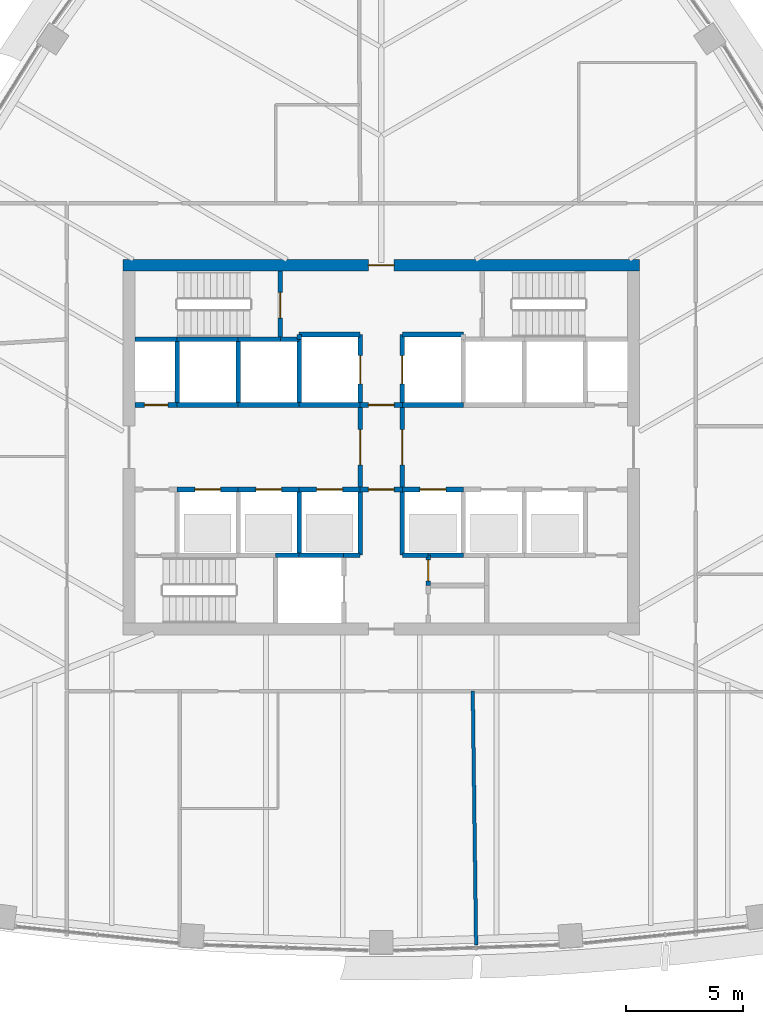
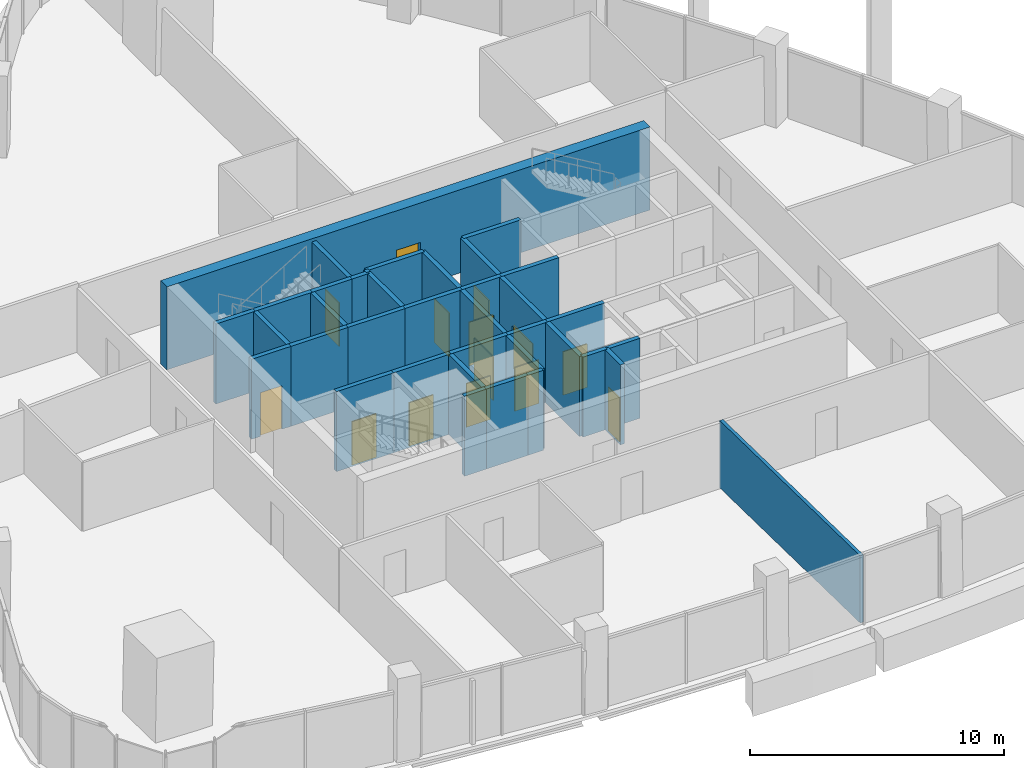
# One storey, part 10 of 17: 37 walls, 14 doors, 14 openings.
"""IFC4 building model written with IfcOpenShell, lengths in metres."""

import ifcopenshell
import ifcopenshell.guid

model = None  # the IFC model being written
_history = None  # IfcOwnerHistory: only IFC2X3 demands one
_inside = {}  # id of a spatial element -> (the spatial element, [elements in it])
_under = {}  # id of a project, library or spatial element -> (it, [spatial elements below it])
_declared = {}  # id of a project -> (the project, [libraries it declares])
_typed = {}  # id of a type object -> (the type object, [elements of that type])
_made_of = {}  # id of a material, layer set ... -> (it, [elements and type objects made of it])


def new_model(schema):
    """Start an empty IFC model of exactly this schema.

    Asked for "IFC4X3", IfcOpenShell would pick the latest addendum, in which some entities
    have other attributes; the version numbers below select the first issue.
    IFC2X3 requires an IfcOwnerHistory on every rooted entity: one is made here for all.
    """
    global model, _history
    if schema == "IFC4X3":
        model = ifcopenshell.file(schema_version=(4, 3, 0, 0))
    else:
        model = ifcopenshell.file(schema=schema)
    _inside.clear()
    _under.clear()
    _declared.clear()
    _typed.clear()
    _made_of.clear()
    _history = None
    if model.schema == "IFC2X3":
        org = make("IfcOrganization", Name="unknown")
        user = make(
            "IfcPersonAndOrganization",
            ThePerson=make("IfcPerson", FamilyName="unknown"),
            TheOrganization=org,
        )
        app = make(
            "IfcApplication",
            ApplicationDeveloper=org,
            Version="unknown",
            ApplicationFullName="unknown",
            ApplicationIdentifier="unknown",
        )
        _history = make(
            "IfcOwnerHistory",
            OwningUser=user,
            OwningApplication=app,
            ChangeAction="ADDED",
            CreationDate=0,
        )
    return model


def make(cls, **values):
    """One entity of the class cls with the attributes given. An attribute that is None is left unset."""
    return model.create_entity(
        cls, **{name: value for name, value in values.items() if value is not None}
    )


def rooted(cls, **values):
    """An entity with a GlobalId (a new one), such as an element, a storey or a relation."""
    return make(cls, GlobalId=ifcopenshell.guid.new(), OwnerHistory=_history, **values)


def si_unit(unit_type, name, prefix=None):
    """IfcSIUnit, for example si_unit("LENGTHUNIT", "METRE", prefix="MILLI")."""
    return make("IfcSIUnit", UnitType=unit_type, Prefix=prefix, Name=name)


def assignment(units):
    """IfcUnitAssignment: the units of a project."""
    return None if units is None else make("IfcUnitAssignment", Units=units)


def point(xyz):
    """IfcCartesianPoint."""
    return None if xyz is None else make("IfcCartesianPoint", Coordinates=xyz)


def direction(xyz):
    """IfcDirection."""
    return None if xyz is None else make("IfcDirection", DirectionRatios=xyz)


def frame(location, z_axis=None, x_axis=None):
    """IfcAxis2Placement3D, a coordinate frame: its origin and axes. An axis left out is left unset."""
    return make(
        "IfcAxis2Placement3D",
        Location=point(location),
        Axis=direction(z_axis),
        RefDirection=direction(x_axis),
    )


def frame_2d(location, x_axis=None):
    """IfcAxis2Placement2D, a coordinate frame in the plane: its origin and x axis."""
    return make(
        "IfcAxis2Placement2D", Location=point(location), RefDirection=direction(x_axis)
    )


def origin():
    """The frame at (0, 0, 0) with its axes left unset."""
    return frame((0.0, 0.0, 0.0))


def place(relative_to, where):
    """IfcLocalPlacement: puts the frame where relative to a parent placement (None: the world)."""
    return make(
        "IfcLocalPlacement", PlacementRelTo=relative_to, RelativePlacement=where
    )


def context(
    kind, dimensions, precision=None, world=None, true_north=None, identifier=None
):
    """IfcGeometricRepresentationContext, for example the 3D "Model" context."""
    return make(
        "IfcGeometricRepresentationContext",
        ContextIdentifier=identifier,
        ContextType=kind,
        CoordinateSpaceDimension=dimensions,
        Precision=precision,
        WorldCoordinateSystem=world,
        TrueNorth=true_north,
    )


def subcontext(parent, identifier, kind, view, scale=None):
    """IfcGeometricRepresentationSubContext, for example "Body" below "Model"."""
    return make(
        "IfcGeometricRepresentationSubContext",
        ContextIdentifier=identifier,
        ContextType=kind,
        ParentContext=parent,
        TargetScale=scale,
        TargetView=view,
    )


def project(units=None, contexts=None):
    """IfcProject with its units and contexts."""
    return rooted(
        "IfcProject",
        Name="project",
        RepresentationContexts=contexts,
        UnitsInContext=assignment(units),
    )


def spatial(cls, under=None, at=None, **own):
    """A site, building, storey or space (cls), placed at a placement, below another one or the project."""
    s = rooted(cls, ObjectPlacement=at, **own)
    if under is not None:
        _under.setdefault(under.id(), (under, []))[1].append(s)
    return s


def profile(cls, at=None, kind="AREA", **sizes):
    """A parametric profile (cls). Its sizes go by their IFC names, for example OverallWidth=200.0."""
    return make(cls, ProfileType=kind, Position=at, **sizes)


def rectangle(**sizes):
    """IfcRectangleProfileDef."""
    return profile("IfcRectangleProfileDef", **sizes)


def extrude(swept, where, along, depth):
    """IfcExtrudedAreaSolid: the profile swept, set in the frame where, extruded along a direction by depth."""
    return make(
        "IfcExtrudedAreaSolid",
        SweptArea=swept,
        Position=where,
        ExtrudedDirection=direction(along),
        Depth=depth,
    )


def shape(context_of_items, identifier, shape_type, items):
    """IfcShapeRepresentation: the items that make up one representation, for example the "Body"."""
    return make(
        "IfcShapeRepresentation",
        ContextOfItems=context_of_items,
        RepresentationIdentifier=identifier,
        RepresentationType=shape_type,
        Items=items,
    )


def material(Name=None, Category=None):
    """IfcMaterial."""
    return make("IfcMaterial", Name=Name, Category=Category)


def layer(
    of_material, thickness, ventilated=None, Name=None, Category=None, Priority=None
):
    """IfcMaterialLayer: one layer of a wall or slab, of a material (None: an air gap)."""
    return make(
        "IfcMaterialLayer",
        Material=of_material,
        LayerThickness=thickness,
        IsVentilated=ventilated,
        Name=Name,
        Category=Category,
        Priority=Priority,
    )


def layer_set(layers, Name=None):
    """IfcMaterialLayerSet."""
    return make("IfcMaterialLayerSet", MaterialLayers=layers, LayerSetName=Name)


def made_of(thing, what):
    """Note that an element or type object is made of a material, layer set ...; save() writes the relation."""
    if what is not None:
        _made_of.setdefault(what.id(), (what, []))[1].append(thing)
    return thing


def type_object(cls, material=None, **own):
    """A type object (cls), such as IfcWallType, which elements share."""
    return made_of(rooted(cls, **own), material)


def element(
    cls,
    number,
    at=None,
    inside=None,
    cuts=None,
    type_object=None,
    material=None,
    context=None,
    identifier="Body",
    shape_type=None,
    held_by="IfcProductDefinitionShape",
    body=None,
    shapes=None,
    **own,
):
    """One element of the class cls, such as IfcWall. Its Tag is "e" and its number.

    at: its placement. inside: the storey or other place that contains it. cuts: it is an
    opening in that element (IfcRelVoidsElement). A single representation is given by context,
    identifier, shape_type and body (its items); several are given by shapes. held_by: the class
    of the entity that holds the representations. save() writes the other relations.
    """
    e = rooted(cls, Tag="e%d" % number, ObjectPlacement=at, **own)
    if body is not None:
        shapes = [shape(context, identifier, shape_type, body)]
    if shapes is not None:
        e.Representation = make(held_by, Representations=shapes)
    if inside is not None:
        _inside.setdefault(inside.id(), (inside, []))[1].append(e)
    if cuts is not None:
        rooted(
            "IfcRelVoidsElement", RelatingBuildingElement=cuts, RelatedOpeningElement=e
        )
    if type_object is not None:
        _typed.setdefault(type_object.id(), (type_object, []))[1].append(e)
    return made_of(e, material)


def fill(opening, filler):
    """IfcRelFillsElement: the door or window that sits in an opening."""
    return rooted(
        "IfcRelFillsElement",
        RelatingOpeningElement=opening,
        RelatedBuildingElement=filler,
    )


def aggregate(whole, parts):
    """IfcRelAggregates: a whole, such as a stair, and the parts it consists of."""
    return rooted("IfcRelAggregates", RelatingObject=whole, RelatedObjects=parts)


def save(model, path):
    """Write the relations noted so far, then the file.

    IfcRelAggregates (storeys below a building ...), IfcRelContainedInSpatialStructure (elements
    in a storey), IfcRelDefinesByType, IfcRelAssociatesMaterial and IfcRelDeclares: one each for
    every whole, place, type object, material and project.
    """
    for whole, parts in _under.values():
        aggregate(whole, parts)
    for where, things in _inside.values():
        rooted(
            "IfcRelContainedInSpatialStructure",
            RelatedElements=things,
            RelatingStructure=where,
        )
    for kind, things in _typed.values():
        rooted("IfcRelDefinesByType", RelatedObjects=things, RelatingType=kind)
    for what, things in _made_of.values():
        rooted("IfcRelAssociatesMaterial", RelatedObjects=things, RelatingMaterial=what)
    for by, libraries in _declared.values():
        rooted("IfcRelDeclares", RelatingContext=by, RelatedDefinitions=libraries)
    model.write(path)


model = new_model("IFC4")

# Units and contexts
model_context = context("Model", 3, precision=1e-05, world=origin(), true_north=direction((0.0, 1.0)))
body_context = subcontext(model_context, "Body", "Model", "MODEL_VIEW")
ifc_project = project(units=[si_unit("LENGTHUNIT", "METRE"), si_unit("AREAUNIT", "SQUARE_METRE"), si_unit("VOLUMEUNIT", "CUBIC_METRE"), si_unit("PLANEANGLEUNIT", "RADIAN"), si_unit("MASSUNIT", "GRAM", prefix="KILO")], contexts=[model_context])

# Site, building, storey
site_placement = place(None, origin())
site = spatial("IfcSite", under=ifc_project, at=site_placement, CompositionType="ELEMENT")
building_placement = place(site_placement, origin())
building = spatial("IfcBuilding", under=site, at=building_placement, Name="Sierra Prisma Convention Tower", CompositionType="ELEMENT")
storey_placement = place(building_placement, frame((0.0, 0.0, 201.800048828125)))
storey = spatial("IfcBuildingStorey", under=building, at=storey_placement, Name="L45", CompositionType="ELEMENT", Elevation=201.800048828125)

# Wall, opening, door
ifc_material_1 = material(Name="Concrete C30/37", Category="concrete")
ifc_layer_1 = layer(ifc_material_1, 0.199951171875)
ifc_layer_set_1 = layer_set([ifc_layer_1], Name="Core wall RC 200 C30/37")
wall_type_1 = type_object("IfcWallType", Name="Core wall RC 200 C30/37", PredefinedType="SOLIDWALL", material=ifc_layer_set_1)
wall_1_placement = place(storey_placement, frame((-8.699951171875, 1.800048828125, 0.0), z_axis=(0.0, 0.0, 1.0), x_axis=(-1.0, 0.0, 0.0)))
wall_1 = element("IfcWall", 1, at=wall_1_placement, inside=storey, type_object=wall_type_1, Name="Core wall L45 3", PredefinedType="SOLIDWALL", context=body_context, shape_type="SweptSolid", body=[
    extrude(rectangle(XDim=1.800048828125, YDim=0.199951171875, at=frame_2d((0.89990234375, 0.0))), origin(), (0.0, 0.0, 1.0), 3.849853515625),
])
opening_1_placement = place(wall_1_placement, frame((0.39990234375, 0.0, 0.0)))
opening_1 = element("IfcOpeningElement", 2, at=opening_1_placement, cuts=wall_1, Name="Opening L45-D015", PredefinedType="OPENING", context=body_context, shape_type="SweptSolid", body=[
    extrude(rectangle(XDim=1.0, YDim=2.10009765625, at=frame_2d((0.5, 1.050048828125))), frame((0.0, 0.10009765625, 0.0), z_axis=(0.0, -1.0, 0.0), x_axis=(1.0, 0.0, 0.0)), (0.0, 0.0, 1.0), 0.199951171875),
])
ifc_material_2 = material(Name="Steel fire door leaf", Category="steel")
door_type_1 = type_object("IfcDoorType", Name="Door 1000x2100 FD60S", OperationType="SINGLE_SWING_LEFT", PredefinedType="DOOR", material=ifc_material_2)
door_1_placement = place(opening_1_placement, origin())
door_1 = element("IfcDoor", 3, at=door_1_placement, inside=storey, type_object=door_type_1, Name="Door L45 29", OperationType="SINGLE_SWING_RIGHT", OverallHeight=2.10009765625, OverallWidth=1.0, PredefinedType="DOOR", context=body_context, shape_type="SweptSolid", body=[
    extrude(rectangle(XDim=1.0, YDim=2.10009765625, at=frame_2d((0.5, 1.050048828125))), frame((0.0, 0.02490234375, 0.0), z_axis=(0.0, -1.0, 0.0), x_axis=(1.0, 0.0, 0.0)), (0.0, 0.0, 1.0), 0.050048828125),
])
fill(opening_1, door_1)

# Wall
wall_2_placement = place(storey_placement, frame((-8.699951171875, 4.60009765625, 0.0), z_axis=(0.0, 0.0, 1.0), x_axis=(-1.0, 0.0, 0.0)))
element("IfcWall", 4, at=wall_2_placement, inside=storey, type_object=wall_type_1, Name="Core wall L45 4", PredefinedType="SOLIDWALL", context=body_context, shape_type="SweptSolid", body=[
    extrude(rectangle(XDim=1.800048828125, YDim=0.199951171875, at=frame_2d((0.89990234375, 0.0))), origin(), (0.0, 0.0, 1.0), 3.849853515625),
])

# Wall, opening, door
wall_3_placement = place(storey_placement, frame((-8.699951171875, -1.800048828125, 0.0), z_axis=(0.0, 0.0, 1.0), x_axis=(1.0, 0.0, 0.0)))
wall_3 = element("IfcWall", 5, at=wall_3_placement, inside=storey, type_object=wall_type_1, Name="Core wall L45 7", PredefinedType="SOLIDWALL", context=body_context, shape_type="SweptSolid", body=[
    extrude(rectangle(XDim=2.599853515625, YDim=0.199951171875, at=frame_2d((1.2998046875, 0.0))), origin(), (0.0, 0.0, 1.0), 3.849853515625),
])
opening_2_placement = place(wall_3_placement, frame((0.75, 0.0, 0.0)))
opening_2 = element("IfcOpeningElement", 6, at=opening_2_placement, cuts=wall_3, Name="Opening L45-D001", PredefinedType="OPENING", context=body_context, shape_type="SweptSolid", body=[
    extrude(rectangle(XDim=1.10009765625, YDim=2.10009765625, at=frame_2d((0.550048828125, 1.050048828125))), frame((0.0, 0.10009765625, 0.0), z_axis=(0.0, -1.0, 0.0), x_axis=(1.0, 0.0, 0.0)), (0.0, 0.0, 1.0), 0.199951171875),
])
ifc_material_3 = material(Name="Steel fire door leaf", Category="steel")
door_type_2 = type_object("IfcDoorType", Name="Door 1100x2100 EI 90 sliding lift landing", OperationType="SLIDING_TO_LEFT", PredefinedType="DOOR", material=ifc_material_3)
door_2_placement = place(opening_2_placement, origin())
door_2 = element("IfcDoor", 7, at=door_2_placement, inside=storey, type_object=door_type_2, Name="Door L45 15", OperationType="SLIDING_TO_LEFT", OverallHeight=2.10009765625, OverallWidth=1.10009765625, PredefinedType="DOOR", context=body_context, shape_type="SweptSolid", body=[
    extrude(rectangle(XDim=1.10009765625, YDim=2.10009765625, at=frame_2d((0.550048828125, 1.050048828125))), frame((0.0, 0.02490234375, 0.0), z_axis=(0.0, -1.0, 0.0), x_axis=(1.0, 0.0, 0.0)), (0.0, 0.0, 1.0), 0.050048828125),
])
fill(opening_2, door_2)

# Walls
wall_4_placement = place(storey_placement, frame((-6.10009765625, 1.800048828125, 0.0), z_axis=(0.0, 0.0, 1.0), x_axis=(-1.0, 0.0, 0.0)))
element("IfcWall", 8, at=wall_4_placement, inside=storey, type_object=wall_type_1, Name="Core wall L45 8", PredefinedType="SOLIDWALL", context=body_context, shape_type="SweptSolid", body=[
    extrude(rectangle(XDim=2.599853515625, YDim=0.199951171875, at=frame_2d((1.2998046875, 0.0))), origin(), (0.0, 0.0, 1.0), 3.849853515625),
])
wall_5_placement = place(storey_placement, frame((-8.699951171875, 1.800048828125, 0.0), z_axis=(0.0, 0.0, 1.0), x_axis=(0.0, 1.0, 0.0)))
element("IfcWall", 9, at=wall_5_placement, inside=storey, type_object=wall_type_1, Name="Core wall L45 9", PredefinedType="SOLIDWALL", context=body_context, shape_type="SweptSolid", body=[
    extrude(rectangle(XDim=2.800048828125, YDim=0.199951171875, at=frame_2d((1.39990234375, 0.0))), origin(), (0.0, 0.0, 1.0), 3.849853515625),
])
wall_6_placement = place(storey_placement, frame((-6.10009765625, 4.60009765625, 0.0), z_axis=(0.0, 0.0, 1.0), x_axis=(-1.0, 0.0, 0.0)))
element("IfcWall", 10, at=wall_6_placement, inside=storey, type_object=wall_type_1, Name="Core wall L45 10", PredefinedType="SOLIDWALL", context=body_context, shape_type="SweptSolid", body=[
    extrude(rectangle(XDim=2.599853515625, YDim=0.199951171875, at=frame_2d((1.2998046875, 0.0))), origin(), (0.0, 0.0, 1.0), 3.849853515625),
])

# Wall, opening, door
wall_7_placement = place(storey_placement, frame((-6.10009765625, -1.800048828125, 0.0), z_axis=(0.0, 0.0, 1.0), x_axis=(1.0, 0.0, 0.0)))
wall_7 = element("IfcWall", 11, at=wall_7_placement, inside=storey, type_object=wall_type_1, Name="Core wall L45 13", PredefinedType="SOLIDWALL", context=body_context, shape_type="SweptSolid", body=[
    extrude(rectangle(XDim=2.60009765625, YDim=0.199951171875, at=frame_2d((1.300048828125, 0.0))), origin(), (0.0, 0.0, 1.0), 3.849853515625),
])
opening_3_placement = place(wall_7_placement, frame((0.75, 0.0, 0.0)))
opening_3 = element("IfcOpeningElement", 12, at=opening_3_placement, cuts=wall_7, Name="Opening L45-D002", PredefinedType="OPENING", context=body_context, shape_type="SweptSolid", body=[
    extrude(rectangle(XDim=1.10009765625, YDim=2.10009765625, at=frame_2d((0.550048828125, 1.050048828125))), frame((0.0, 0.10009765625, 0.0), z_axis=(0.0, -1.0, 0.0), x_axis=(1.0, 0.0, 0.0)), (0.0, 0.0, 1.0), 0.199951171875),
])
door_3_placement = place(opening_3_placement, origin())
door_3 = element("IfcDoor", 13, at=door_3_placement, inside=storey, type_object=door_type_2, Name="Door L45 16", OperationType="SLIDING_TO_LEFT", OverallHeight=2.10009765625, OverallWidth=1.10009765625, PredefinedType="DOOR", context=body_context, shape_type="SweptSolid", body=[
    extrude(rectangle(XDim=1.10009765625, YDim=2.10009765625, at=frame_2d((0.550048828125, 1.050048828125))), frame((0.0, 0.02490234375, 0.0), z_axis=(0.0, -1.0, 0.0), x_axis=(1.0, 0.0, 0.0)), (0.0, 0.0, 1.0), 0.050048828125),
])
fill(opening_3, door_3)

# Walls
wall_8_placement = place(storey_placement, frame((-3.5, 1.800048828125, 0.0), z_axis=(0.0, 0.0, 1.0), x_axis=(-1.0, 0.0, 0.0)))
element("IfcWall", 14, at=wall_8_placement, inside=storey, type_object=wall_type_1, Name="Core wall L45 14", PredefinedType="SOLIDWALL", context=body_context, shape_type="SweptSolid", body=[
    extrude(rectangle(XDim=2.60009765625, YDim=0.199951171875, at=frame_2d((1.300048828125, 0.0))), origin(), (0.0, 0.0, 1.0), 3.849853515625),
])
wall_9_placement = place(storey_placement, frame((-6.10009765625, 1.800048828125, 0.0), z_axis=(0.0, 0.0, 1.0), x_axis=(0.0, 1.0, 0.0)))
element("IfcWall", 15, at=wall_9_placement, inside=storey, type_object=wall_type_1, Name="Core wall L45 15", PredefinedType="SOLIDWALL", context=body_context, shape_type="SweptSolid", body=[
    extrude(rectangle(XDim=2.800048828125, YDim=0.199951171875, at=frame_2d((1.39990234375, 0.0))), origin(), (0.0, 0.0, 1.0), 3.849853515625),
])
wall_10_placement = place(storey_placement, frame((-4.300048828125, 4.60009765625, 0.0), z_axis=(0.0, 0.0, 1.0), x_axis=(-1.0, 0.0, 0.0)))
element("IfcWall", 16, at=wall_10_placement, inside=storey, type_object=wall_type_1, Name="Core wall L45 16", PredefinedType="SOLIDWALL", context=body_context, shape_type="SweptSolid", body=[
    extrude(rectangle(XDim=1.800048828125, YDim=0.199951171875, at=frame_2d((0.89990234375, 0.0))), origin(), (0.0, 0.0, 1.0), 3.849853515625),
])
wall_11_placement = place(storey_placement, frame((-4.5, -4.60009765625, 0.0), z_axis=(0.0, 0.0, 1.0), x_axis=(1.0, 0.0, 0.0)))
element("IfcWall", 17, at=wall_11_placement, inside=storey, type_object=wall_type_1, Name="Core wall L45 18", PredefinedType="SOLIDWALL", context=body_context, shape_type="SweptSolid", body=[
    extrude(rectangle(XDim=1.0, YDim=0.199951171875, at=frame_2d((0.5, 0.0))), origin(), (0.0, 0.0, 1.0), 3.849853515625),
])
wall_12_placement = place(storey_placement, frame((-3.5, 4.60009765625, 0.0), z_axis=(0.0, 0.0, 1.0), x_axis=(-1.0, 0.0, 0.0)))
element("IfcWall", 18, at=wall_12_placement, inside=storey, type_object=wall_type_1, Name="Core wall L45 19", PredefinedType="SOLIDWALL", context=body_context, shape_type="SweptSolid", body=[
    extrude(rectangle(XDim=0.800048828125, YDim=0.199951171875, at=frame_2d((0.39990234375, 0.0))), origin(), (0.0, 0.0, 1.0), 3.849853515625),
])

# Wall, opening, door
wall_13_placement = place(storey_placement, frame((-4.300048828125, 4.60009765625, 0.0), z_axis=(0.0, 0.0, 1.0), x_axis=(0.0, 1.0, 0.0)))
wall_13 = element("IfcWall", 19, at=wall_13_placement, inside=storey, type_object=wall_type_1, Name="Core wall L45 20", PredefinedType="SOLIDWALL", context=body_context, shape_type="SweptSolid", body=[
    extrude(rectangle(XDim=2.89990234375, YDim=0.199951171875, at=frame_2d((1.449951171875, 0.0))), origin(), (0.0, 0.0, 1.0), 3.849853515625),
])
opening_4_placement = place(wall_13_placement, frame((0.89990234375, 0.0, 0.0)))
opening_4 = element("IfcOpeningElement", 20, at=opening_4_placement, cuts=wall_13, Name="Opening L45-D018", PredefinedType="OPENING", context=body_context, shape_type="SweptSolid", body=[
    extrude(rectangle(XDim=1.10009765625, YDim=2.10009765625, at=frame_2d((0.550048828125, 1.050048828125))), frame((0.0, 0.10009765625, 0.0), z_axis=(0.0, -1.0, 0.0), x_axis=(1.0, 0.0, 0.0)), (0.0, 0.0, 1.0), 0.199951171875),
])
ifc_material_4 = material(Name="Steel fire door leaf", Category="steel")
door_type_3 = type_object("IfcDoorType", Name="Door 1100x2100 FD90S", OperationType="SINGLE_SWING_LEFT", PredefinedType="DOOR", material=ifc_material_4)
door_4_placement = place(opening_4_placement, origin())
door_4 = element("IfcDoor", 21, at=door_4_placement, inside=storey, type_object=door_type_3, Name="Door L45 32", OperationType="SINGLE_SWING_RIGHT", OverallHeight=2.10009765625, OverallWidth=1.10009765625, PredefinedType="DOOR", context=body_context, shape_type="SweptSolid", body=[
    extrude(rectangle(XDim=1.10009765625, YDim=2.10009765625, at=frame_2d((0.550048828125, 1.050048828125))), frame((0.0, 0.02490234375, 0.0), z_axis=(0.0, -1.0, 0.0), x_axis=(1.0, 0.0, 0.0)), (0.0, 0.0, 1.0), 0.050048828125),
])
fill(opening_4, door_4)

# Walls
wall_14_placement = place(storey_placement, frame((-3.5, -4.60009765625, 0.0), z_axis=(0.0, 0.0, 1.0), x_axis=(1.0, 0.0, 0.0)))
element("IfcWall", 22, at=wall_14_placement, inside=storey, type_object=wall_type_1, Name="Core wall L45 21", PredefinedType="SOLIDWALL", context=body_context, shape_type="SweptSolid", body=[
    extrude(rectangle(XDim=1.89990234375, YDim=0.199951171875, at=frame_2d((0.949951171875, 0.0))), origin(), (0.0, 0.0, 1.0), 3.849853515625),
])
wall_15_placement = place(storey_placement, frame((-3.5, -4.60009765625, 0.0), z_axis=(0.0, 0.0, 1.0), x_axis=(0.0, 1.0, 0.0)))
element("IfcWall", 23, at=wall_15_placement, inside=storey, type_object=wall_type_1, Name="Core wall L45 22", PredefinedType="SOLIDWALL", context=body_context, shape_type="SweptSolid", body=[
    extrude(rectangle(XDim=2.800048828125, YDim=0.199951171875, at=frame_2d((1.39990234375, 0.0))), origin(), (0.0, 0.0, 1.0), 3.849853515625),
])

# Wall, opening, door
wall_16_placement = place(storey_placement, frame((-3.5, -1.800048828125, 0.0), z_axis=(0.0, 0.0, 1.0), x_axis=(1.0, 0.0, 0.0)))
wall_16 = element("IfcWall", 24, at=wall_16_placement, inside=storey, type_object=wall_type_1, Name="Core wall L45 23", PredefinedType="SOLIDWALL", context=body_context, shape_type="SweptSolid", body=[
    extrude(rectangle(XDim=2.60009765625, YDim=0.199951171875, at=frame_2d((1.300048828125, 0.0))), origin(), (0.0, 0.0, 1.0), 3.849853515625),
])
opening_5_placement = place(wall_16_placement, frame((0.75, 0.0, 0.0)))
opening_5 = element("IfcOpeningElement", 25, at=opening_5_placement, cuts=wall_16, Name="Opening L45-D003", PredefinedType="OPENING", context=body_context, shape_type="SweptSolid", body=[
    extrude(rectangle(XDim=1.10009765625, YDim=2.10009765625, at=frame_2d((0.550048828125, 1.050048828125))), frame((0.0, 0.10009765625, 0.0), z_axis=(0.0, -1.0, 0.0), x_axis=(1.0, 0.0, 0.0)), (0.0, 0.0, 1.0), 0.199951171875),
])
door_5_placement = place(opening_5_placement, origin())
door_5 = element("IfcDoor", 26, at=door_5_placement, inside=storey, type_object=door_type_2, Name="Door L45 17", OperationType="SLIDING_TO_LEFT", OverallHeight=2.10009765625, OverallWidth=1.10009765625, PredefinedType="DOOR", context=body_context, shape_type="SweptSolid", body=[
    extrude(rectangle(XDim=1.10009765625, YDim=2.10009765625, at=frame_2d((0.550048828125, 1.050048828125))), frame((0.0, 0.02490234375, 0.0), z_axis=(0.0, -1.0, 0.0), x_axis=(1.0, 0.0, 0.0)), (0.0, 0.0, 1.0), 0.050048828125),
])
fill(opening_5, door_5)

# Walls
wall_17_placement = place(storey_placement, frame((-0.89990234375, 1.800048828125, 0.0), z_axis=(0.0, 0.0, 1.0), x_axis=(-1.0, 0.0, 0.0)))
element("IfcWall", 27, at=wall_17_placement, inside=storey, type_object=wall_type_1, Name="Core wall L45 24", PredefinedType="SOLIDWALL", context=body_context, shape_type="SweptSolid", body=[
    extrude(rectangle(XDim=2.60009765625, YDim=0.199951171875, at=frame_2d((1.300048828125, 0.0))), origin(), (0.0, 0.0, 1.0), 3.849853515625),
])
wall_18_placement = place(storey_placement, frame((-3.5, 4.60009765625, 0.0), z_axis=(0.0, 0.0, 1.0), x_axis=(0.0, -1.0, 0.0)))
element("IfcWall", 28, at=wall_18_placement, inside=storey, type_object=wall_type_1, Name="Core wall L45 25", PredefinedType="SOLIDWALL", context=body_context, shape_type="SweptSolid", body=[
    extrude(rectangle(XDim=2.800048828125, YDim=0.199951171875, at=frame_2d((1.39990234375, 0.0))), origin(), (0.0, 0.0, 1.0), 3.849853515625),
])

# Wall, opening, door
wall_19_placement = place(storey_placement, frame((-0.89990234375, 1.800048828125, 0.0), z_axis=(0.0, 0.0, 1.0), x_axis=(0.0, 1.0, 0.0)))
wall_19 = element("IfcWall", 29, at=wall_19_placement, inside=storey, type_object=wall_type_1, Name="Core wall L45 26", PredefinedType="SOLIDWALL", context=body_context, shape_type="SweptSolid", body=[
    extrude(rectangle(XDim=3.0, YDim=0.199951171875, at=frame_2d((1.5, 0.0))), origin(), (0.0, 0.0, 1.0), 3.849853515625),
])
opening_6_placement = place(wall_19_placement, frame((0.89990234375, 0.0, 0.0)))
opening_6 = element("IfcOpeningElement", 30, at=opening_6_placement, cuts=wall_19, Name="Opening L45-D007", PredefinedType="OPENING", context=body_context, shape_type="SweptSolid", body=[
    extrude(rectangle(XDim=1.199951171875, YDim=2.10009765625, at=frame_2d((0.60009765625, 1.050048828125))), frame((0.0, 0.10009765625, 0.0), z_axis=(0.0, -1.0, 0.0), x_axis=(1.0, 0.0, 0.0)), (0.0, 0.0, 1.0), 0.199951171875),
])
ifc_material_5 = material(Name="Steel fire door leaf", Category="steel")
door_type_4 = type_object("IfcDoorType", Name="Door 1200x2100 EI 90 sliding lift landing", OperationType="SLIDING_TO_LEFT", PredefinedType="DOOR", material=ifc_material_5)
door_6_placement = place(opening_6_placement, origin())
door_6 = element("IfcDoor", 31, at=door_6_placement, inside=storey, type_object=door_type_4, Name="Door L45 21", OperationType="SLIDING_TO_LEFT", OverallHeight=2.10009765625, OverallWidth=1.199951171875, PredefinedType="DOOR", context=body_context, shape_type="SweptSolid", body=[
    extrude(rectangle(XDim=1.199951171875, YDim=2.10009765625, at=frame_2d((0.60009765625, 1.050048828125))), frame((0.0, 0.02490234375, 0.0), z_axis=(0.0, -1.0, 0.0), x_axis=(1.0, 0.0, 0.0)), (0.0, 0.0, 1.0), 0.050048828125),
])
fill(opening_6, door_6)

# Walls
wall_20_placement = place(storey_placement, frame((-0.89990234375, 4.800048828125, 0.0), z_axis=(0.0, 0.0, 1.0), x_axis=(-1.0, 0.0, 0.0)))
element("IfcWall", 32, at=wall_20_placement, inside=storey, type_object=wall_type_1, Name="Core wall L45 27", PredefinedType="SOLIDWALL", context=body_context, shape_type="SweptSolid", body=[
    extrude(rectangle(XDim=2.60009765625, YDim=0.199951171875, at=frame_2d((1.300048828125, 0.0))), origin(), (0.0, 0.0, 1.0), 3.849853515625),
])
wall_21_placement = place(storey_placement, frame((-3.5, 4.800048828125, 0.0), z_axis=(0.0, 0.0, 1.0), x_axis=(0.0, -1.0, 0.0)))
element("IfcWall", 33, at=wall_21_placement, inside=storey, type_object=wall_type_1, Name="Core wall L45 28", PredefinedType="SOLIDWALL", context=body_context, shape_type="SweptSolid", body=[
    extrude(rectangle(XDim=0.199951171875, YDim=0.199951171875, at=frame_2d((0.10009765625, 0.0))), origin(), (0.0, 0.0, 1.0), 3.849853515625),
])
wall_22_placement = place(storey_placement, frame((-1.60009765625, -4.60009765625, 0.0), z_axis=(0.0, 0.0, 1.0), x_axis=(1.0, 0.0, 0.0)))
element("IfcWall", 34, at=wall_22_placement, inside=storey, type_object=wall_type_1, Name="Core wall L45 30", PredefinedType="SOLIDWALL", context=body_context, shape_type="SweptSolid", body=[
    extrude(rectangle(XDim=0.7001953125, YDim=0.199951171875, at=frame_2d((0.35009765625, 0.0))), origin(), (0.0, 0.0, 1.0), 3.849853515625),
])
wall_23_placement = place(storey_placement, frame((-0.89990234375, -4.60009765625, 0.0), z_axis=(0.0, 0.0, 1.0), x_axis=(0.0, 1.0, 0.0)))
element("IfcWall", 35, at=wall_23_placement, inside=storey, type_object=wall_type_1, Name="Core wall L45 31", PredefinedType="SOLIDWALL", context=body_context, shape_type="SweptSolid", body=[
    extrude(rectangle(XDim=2.800048828125, YDim=0.199951171875, at=frame_2d((1.39990234375, 0.0))), origin(), (0.0, 0.0, 1.0), 3.849853515625),
])

# Wall, opening, door
wall_24_placement = place(storey_placement, frame((-0.89990234375, -1.800048828125, 0.0), z_axis=(0.0, 0.0, 1.0), x_axis=(1.0, 0.0, 0.0)))
wall_24 = element("IfcWall", 36, at=wall_24_placement, inside=storey, type_object=wall_type_1, Name="Core wall L45 32", PredefinedType="SOLIDWALL", context=body_context, shape_type="SweptSolid", body=[
    extrude(rectangle(XDim=1.7998046875, YDim=0.199951171875, at=frame_2d((0.89990234375, 0.0))), origin(), (0.0, 0.0, 1.0), 3.849853515625),
])
opening_7_placement = place(wall_24_placement, frame((0.35009765625, 0.0, 0.0)))
opening_7 = element("IfcOpeningElement", 37, at=opening_7_placement, cuts=wall_24, Name="Opening L45-D014", PredefinedType="OPENING", context=body_context, shape_type="SweptSolid", body=[
    extrude(rectangle(XDim=1.10009765625, YDim=2.10009765625, at=frame_2d((0.550048828125, 1.050048828125))), frame((0.0, 0.10009765625, 0.0), z_axis=(0.0, -1.0, 0.0), x_axis=(1.0, 0.0, 0.0)), (0.0, 0.0, 1.0), 0.199951171875),
])
ifc_material_6 = material(Name="Steel fire door leaf", Category="steel")
door_type_5 = type_object("IfcDoorType", Name="Door 1100x2100 FD30S", OperationType="SINGLE_SWING_LEFT", PredefinedType="DOOR", material=ifc_material_6)
door_7_placement = place(opening_7_placement, origin())
door_7 = element("IfcDoor", 38, at=door_7_placement, inside=storey, type_object=door_type_5, Name="Door L45 28", OperationType="SINGLE_SWING_LEFT", OverallHeight=2.10009765625, OverallWidth=1.10009765625, PredefinedType="DOOR", context=body_context, shape_type="SweptSolid", body=[
    extrude(rectangle(XDim=1.10009765625, YDim=2.10009765625, at=frame_2d((0.550048828125, 1.050048828125))), frame((0.0, 0.02490234375, 0.0), z_axis=(0.0, -1.0, 0.0), x_axis=(1.0, 0.0, 0.0)), (0.0, 0.0, 1.0), 0.050048828125),
])
fill(opening_7, door_7)

wall_25_placement = place(storey_placement, frame((-0.89990234375, 1.800048828125, 0.0), z_axis=(0.0, 0.0, 1.0), x_axis=(0.0, -1.0, 0.0)))
wall_25 = element("IfcWall", 39, at=wall_25_placement, inside=storey, type_object=wall_type_1, Name="Core wall L45 33", PredefinedType="SOLIDWALL", context=body_context, shape_type="SweptSolid", body=[
    extrude(rectangle(XDim=3.60009765625, YDim=0.199951171875, at=frame_2d((1.800048828125, 0.0))), origin(), (0.0, 0.0, 1.0), 3.849853515625),
])
opening_8_placement = place(wall_25_placement, frame((1.050048828125, 0.0, 0.0)))
opening_8 = element("IfcOpeningElement", 40, at=opening_8_placement, cuts=wall_25, Name="Opening L45-D010", PredefinedType="OPENING", context=body_context, shape_type="SweptSolid", body=[
    extrude(rectangle(XDim=1.5, YDim=2.10009765625, at=frame_2d((0.75, 1.050048828125))), frame((0.0, 0.10009765625, 0.0), z_axis=(0.0, -1.0, 0.0), x_axis=(1.0, 0.0, 0.0)), (0.0, 0.0, 1.0), 0.199951171875),
])
ifc_material_7 = material(Name="Steel fire door leaf", Category="steel")
door_type_6 = type_object("IfcDoorType", Name="Door 1500x2100 FD30S", OperationType="DOUBLE_DOOR_SINGLE_SWING", PredefinedType="DOOR", material=ifc_material_7)
door_8_placement = place(opening_8_placement, origin())
door_8 = element("IfcDoor", 41, at=door_8_placement, inside=storey, type_object=door_type_6, Name="Door L45 24", OperationType="DOUBLE_DOOR_SINGLE_SWING", OverallHeight=2.10009765625, OverallWidth=1.5, PredefinedType="DOOR", context=body_context, shape_type="SweptSolid", body=[
    extrude(rectangle(XDim=1.5, YDim=2.10009765625, at=frame_2d((0.75, 1.050048828125))), frame((0.0, 0.02490234375, 0.0), z_axis=(0.0, -1.0, 0.0), x_axis=(1.0, 0.0, 0.0)), (0.0, 0.0, 1.0), 0.050048828125),
])
fill(opening_8, door_8)

wall_26_placement = place(storey_placement, frame((0.89990234375, 1.800048828125, 0.0), z_axis=(0.0, 0.0, 1.0), x_axis=(-1.0, 0.0, 0.0)))
wall_26 = element("IfcWall", 42, at=wall_26_placement, inside=storey, type_object=wall_type_1, Name="Core wall L45 34", PredefinedType="SOLIDWALL", context=body_context, shape_type="SweptSolid", body=[
    extrude(rectangle(XDim=1.7998046875, YDim=0.199951171875, at=frame_2d((0.89990234375, 0.0))), origin(), (0.0, 0.0, 1.0), 3.849853515625),
])
opening_9_placement = place(wall_26_placement, frame((0.35009765625, 0.0, 0.0)))
opening_9 = element("IfcOpeningElement", 43, at=opening_9_placement, cuts=wall_26, Name="Opening L45-D013", PredefinedType="OPENING", context=body_context, shape_type="SweptSolid", body=[
    extrude(rectangle(XDim=1.10009765625, YDim=2.10009765625, at=frame_2d((0.550048828125, 1.050048828125))), frame((0.0, 0.10009765625, 0.0), z_axis=(0.0, -1.0, 0.0), x_axis=(1.0, 0.0, 0.0)), (0.0, 0.0, 1.0), 0.199951171875),
])
ifc_material_8 = material(Name="Steel fire door leaf", Category="steel")
door_type_7 = type_object("IfcDoorType", Name="Door 1100x2100 FD60S", OperationType="SINGLE_SWING_LEFT", PredefinedType="DOOR", material=ifc_material_8)
door_9_placement = place(opening_9_placement, origin())
door_9 = element("IfcDoor", 44, at=door_9_placement, inside=storey, type_object=door_type_7, Name="Door L45 27", OperationType="SINGLE_SWING_RIGHT", OverallHeight=2.10009765625, OverallWidth=1.10009765625, PredefinedType="DOOR", context=body_context, shape_type="SweptSolid", body=[
    extrude(rectangle(XDim=1.10009765625, YDim=2.10009765625, at=frame_2d((0.550048828125, 1.050048828125))), frame((0.0, 0.02490234375, 0.0), z_axis=(0.0, -1.0, 0.0), x_axis=(1.0, 0.0, 0.0)), (0.0, 0.0, 1.0), 0.050048828125),
])
fill(opening_9, door_9)

wall_27_placement = place(storey_placement, frame((0.89990234375, -1.800048828125, 0.0), z_axis=(0.0, 0.0, 1.0), x_axis=(1.0, 0.0, 0.0)))
wall_27 = element("IfcWall", 45, at=wall_27_placement, inside=storey, type_object=wall_type_1, Name="Core wall L45 35", PredefinedType="SOLIDWALL", context=body_context, shape_type="SweptSolid", body=[
    extrude(rectangle(XDim=2.60009765625, YDim=0.199951171875, at=frame_2d((1.300048828125, 0.0))), origin(), (0.0, 0.0, 1.0), 3.849853515625),
])
opening_10_placement = place(wall_27_placement, frame((0.75, 0.0, 0.0)))
opening_10 = element("IfcOpeningElement", 46, at=opening_10_placement, cuts=wall_27, Name="Opening L45-D004", PredefinedType="OPENING", context=body_context, shape_type="SweptSolid", body=[
    extrude(rectangle(XDim=1.10009765625, YDim=2.10009765625, at=frame_2d((0.550048828125, 1.050048828125))), frame((0.0, 0.10009765625, 0.0), z_axis=(0.0, -1.0, 0.0), x_axis=(1.0, 0.0, 0.0)), (0.0, 0.0, 1.0), 0.199951171875),
])
door_10_placement = place(opening_10_placement, origin())
door_10 = element("IfcDoor", 47, at=door_10_placement, inside=storey, type_object=door_type_2, Name="Door L45 18", OperationType="SLIDING_TO_RIGHT", OverallHeight=2.10009765625, OverallWidth=1.10009765625, PredefinedType="DOOR", context=body_context, shape_type="SweptSolid", body=[
    extrude(rectangle(XDim=1.10009765625, YDim=2.10009765625, at=frame_2d((0.550048828125, 1.050048828125))), frame((0.0, 0.02490234375, 0.0), z_axis=(0.0, -1.0, 0.0), x_axis=(1.0, 0.0, 0.0)), (0.0, 0.0, 1.0), 0.050048828125),
])
fill(opening_10, door_10)

wall_28_placement = place(storey_placement, frame((0.89990234375, -1.800048828125, 0.0), z_axis=(0.0, 0.0, 1.0), x_axis=(0.0, 1.0, 0.0)))
wall_28 = element("IfcWall", 48, at=wall_28_placement, inside=storey, type_object=wall_type_1, Name="Core wall L45 36", PredefinedType="SOLIDWALL", context=body_context, shape_type="SweptSolid", body=[
    extrude(rectangle(XDim=3.60009765625, YDim=0.199951171875, at=frame_2d((1.800048828125, 0.0))), origin(), (0.0, 0.0, 1.0), 3.849853515625),
])
opening_11_placement = place(wall_28_placement, frame((1.050048828125, 0.0, 0.0)))
opening_11 = element("IfcOpeningElement", 49, at=opening_11_placement, cuts=wall_28, Name="Opening L45-D011", PredefinedType="OPENING", context=body_context, shape_type="SweptSolid", body=[
    extrude(rectangle(XDim=1.5, YDim=2.10009765625, at=frame_2d((0.75, 1.050048828125))), frame((0.0, 0.10009765625, 0.0), z_axis=(0.0, -1.0, 0.0), x_axis=(1.0, 0.0, 0.0)), (0.0, 0.0, 1.0), 0.199951171875),
])
door_11_placement = place(opening_11_placement, origin())
door_11 = element("IfcDoor", 50, at=door_11_placement, inside=storey, type_object=door_type_6, Name="Door L45 25", OperationType="DOUBLE_DOOR_SINGLE_SWING", OverallHeight=2.10009765625, OverallWidth=1.5, PredefinedType="DOOR", context=body_context, shape_type="SweptSolid", body=[
    extrude(rectangle(XDim=1.5, YDim=2.10009765625, at=frame_2d((0.75, 1.050048828125))), frame((0.0, 0.02490234375, 0.0), z_axis=(0.0, -1.0, 0.0), x_axis=(1.0, 0.0, 0.0)), (0.0, 0.0, 1.0), 0.050048828125),
])
fill(opening_11, door_11)

# Walls
wall_29_placement = place(storey_placement, frame((0.89990234375, -1.800048828125, 0.0), z_axis=(0.0, 0.0, 1.0), x_axis=(0.0, -1.0, 0.0)))
element("IfcWall", 51, at=wall_29_placement, inside=storey, type_object=wall_type_1, Name="Core wall L45 37", PredefinedType="SOLIDWALL", context=body_context, shape_type="SweptSolid", body=[
    extrude(rectangle(XDim=2.800048828125, YDim=0.199951171875, at=frame_2d((1.39990234375, 0.0))), origin(), (0.0, 0.0, 1.0), 3.849853515625),
])
wall_30_placement = place(storey_placement, frame((0.89990234375, -4.60009765625, 0.0), z_axis=(0.0, 0.0, 1.0), x_axis=(1.0, 0.0, 0.0)))
element("IfcWall", 52, at=wall_30_placement, inside=storey, type_object=wall_type_1, Name="Core wall L45 38", PredefinedType="SOLIDWALL", context=body_context, shape_type="SweptSolid", body=[
    extrude(rectangle(XDim=1.10009765625, YDim=0.199951171875, at=frame_2d((0.550048828125, 0.0))), origin(), (0.0, 0.0, 1.0), 3.849853515625),
])
for number, where, z_axis, x_axis, name in (
    (53, (3.5, 1.800048828125, 0.0), (0.0, 0.0, 1.0), (-1.0, 0.0, 0.0), "Core wall L45 39"),
    (54, (3.5, 4.800048828125, 0.0), (0.0, 0.0, 1.0), (-1.0, 0.0, 0.0), "Core wall L45 41"),
):
    element("IfcWall", number, at=place(storey_placement, frame(where, z_axis=z_axis, x_axis=x_axis)), inside=storey, type_object=wall_type_1, Name=name, PredefinedType="SOLIDWALL", context=body_context, shape_type="SweptSolid", body=[
        extrude(rectangle(XDim=2.60009765625, YDim=0.199951171875, at=frame_2d((1.300048828125, 0.0))), origin(), (0.0, 0.0, 1.0), 3.849853515625),
    ])

# Wall, opening, door
wall_31_placement = place(storey_placement, frame((0.89990234375, 4.800048828125, 0.0), z_axis=(0.0, 0.0, 1.0), x_axis=(0.0, -1.0, 0.0)))
wall_31 = element("IfcWall", 55, at=wall_31_placement, inside=storey, type_object=wall_type_1, Name="Core wall L45 42", PredefinedType="SOLIDWALL", context=body_context, shape_type="SweptSolid", body=[
    extrude(rectangle(XDim=3.0, YDim=0.199951171875, at=frame_2d((1.5, 0.0))), origin(), (0.0, 0.0, 1.0), 3.849853515625),
])
opening_12_placement = place(wall_31_placement, frame((0.89990234375, 0.0, 0.0)))
opening_12 = element("IfcOpeningElement", 56, at=opening_12_placement, cuts=wall_31, Name="Opening L45-D008", PredefinedType="OPENING", context=body_context, shape_type="SweptSolid", body=[
    extrude(rectangle(XDim=1.199951171875, YDim=2.10009765625, at=frame_2d((0.60009765625, 1.050048828125))), frame((0.0, 0.10009765625, 0.0), z_axis=(0.0, -1.0, 0.0), x_axis=(1.0, 0.0, 0.0)), (0.0, 0.0, 1.0), 0.199951171875),
])
door_12_placement = place(opening_12_placement, origin())
door_12 = element("IfcDoor", 57, at=door_12_placement, inside=storey, type_object=door_type_4, Name="Door L45 22", OperationType="SLIDING_TO_RIGHT", OverallHeight=2.10009765625, OverallWidth=1.199951171875, PredefinedType="DOOR", context=body_context, shape_type="SweptSolid", body=[
    extrude(rectangle(XDim=1.199951171875, YDim=2.10009765625, at=frame_2d((0.60009765625, 1.050048828125))), frame((0.0, 0.02490234375, 0.0), z_axis=(0.0, -1.0, 0.0), x_axis=(1.0, 0.0, 0.0)), (0.0, 0.0, 1.0), 0.050048828125),
])
fill(opening_12, door_12)

wall_32_placement = place(storey_placement, frame((2.0, -4.60009765625, 0.0), z_axis=(0.0, 0.0, 1.0), x_axis=(0.0, -1.0, 0.0)))
wall_32 = element("IfcWall", 58, at=wall_32_placement, inside=storey, type_object=wall_type_1, Name="Core wall L45 45", PredefinedType="SOLIDWALL", context=body_context, shape_type="SweptSolid", body=[
    extrude(rectangle(XDim=1.2998046875, YDim=0.199951171875, at=frame_2d((0.64990234375, 0.0))), origin(), (0.0, 0.0, 1.0), 3.849853515625),
])
opening_13_placement = place(wall_32_placement, frame((0.199951171875, 0.0, 0.0)))
opening_13 = element("IfcOpeningElement", 59, at=opening_13_placement, cuts=wall_32, Name="Opening L45-D023", PredefinedType="OPENING", context=body_context, shape_type="SweptSolid", body=[
    extrude(rectangle(XDim=0.89990234375, YDim=2.10009765625, at=frame_2d((0.449951171875, 1.050048828125))), frame((0.0, 0.10009765625, 0.0), z_axis=(0.0, -1.0, 0.0), x_axis=(1.0, 0.0, 0.0)), (0.0, 0.0, 1.0), 0.199951171875),
])
ifc_material_9 = material(Name="Steel fire door leaf", Category="steel")
door_type_8 = type_object("IfcDoorType", Name="Door 900x2100 FD30S", OperationType="SINGLE_SWING_LEFT", PredefinedType="DOOR", material=ifc_material_9)
door_13_placement = place(opening_13_placement, origin())
door_13 = element("IfcDoor", 60, at=door_13_placement, inside=storey, type_object=door_type_8, Name="Door L45 37", OperationType="SINGLE_SWING_RIGHT", OverallHeight=2.10009765625, OverallWidth=0.89990234375, PredefinedType="DOOR", context=body_context, shape_type="SweptSolid", body=[
    extrude(rectangle(XDim=0.89990234375, YDim=2.10009765625, at=frame_2d((0.449951171875, 1.050048828125))), frame((0.0, 0.02490234375, 0.0), z_axis=(0.0, -1.0, 0.0), x_axis=(1.0, 0.0, 0.0)), (0.0, 0.0, 1.0), 0.050048828125),
])
fill(opening_13, door_13)

# Wall
wall_33_placement = place(storey_placement, frame((3.5, -4.60009765625, 0.0), z_axis=(0.0, 0.0, 1.0), x_axis=(-1.0, 0.0, 0.0)))
element("IfcWall", 61, at=wall_33_placement, inside=storey, type_object=wall_type_1, Name="Core wall L45 46", PredefinedType="SOLIDWALL", context=body_context, shape_type="SweptSolid", body=[
    extrude(rectangle(XDim=1.5, YDim=0.199951171875, at=frame_2d((0.75, 0.0))), origin(), (0.0, 0.0, 1.0), 3.849853515625),
])

# Wall, opening, door
ifc_material_10 = material(Name="Concrete C60/75", Category="concrete")
ifc_layer_2 = layer(ifc_material_10, 0.5)
ifc_layer_set_2 = layer_set([ifc_layer_2], Name="Core wall RC 500 C60/75")
wall_type_2 = type_object("IfcWallType", Name="Core wall RC 500 C60/75", PredefinedType="SHEAR", material=ifc_layer_set_2)
wall_34_placement = place(storey_placement, frame((-11.0, 7.75, 0.0), z_axis=(0.0, 0.0, 1.0), x_axis=(1.0, 0.0, 0.0)))
wall_34 = element("IfcWall", 62, at=wall_34_placement, inside=storey, type_object=wall_type_2, Name="Core wall N L45", PredefinedType="SHEAR", context=body_context, shape_type="SweptSolid", body=[
    extrude(rectangle(XDim=22.0, YDim=0.5, at=frame_2d((11.0, 0.0))), origin(), (0.0, 0.0, 1.0), 4.0),
])
opening_14_placement = place(wall_34_placement, frame((10.449951171875, 0.0, 0.0)))
opening_14 = element("IfcOpeningElement", 63, at=opening_14_placement, cuts=wall_34, Name="Opening L45-D039", PredefinedType="OPENING", context=body_context, shape_type="SweptSolid", body=[
    extrude(rectangle(XDim=1.10009765625, YDim=2.10009765625, at=frame_2d((0.550048828125, 1.050048828125))), frame((0.0, 0.25, 0.0), z_axis=(0.0, -1.0, 0.0), x_axis=(1.0, 0.0, 0.0)), (0.0, 0.0, 1.0), 0.5),
])
door_14_placement = place(opening_14_placement, origin())
door_14 = element("IfcDoor", 64, at=door_14_placement, inside=storey, type_object=door_type_7, Name="Door L45 40", OperationType="SINGLE_SWING_LEFT", OverallHeight=2.10009765625, OverallWidth=1.10009765625, PredefinedType="DOOR", context=body_context, shape_type="SweptSolid", body=[
    extrude(rectangle(XDim=1.10009765625, YDim=2.10009765625, at=frame_2d((0.550048828125, 1.050048828125))), frame((0.0, 0.02490234375, 0.0), z_axis=(0.0, -1.0, 0.0), x_axis=(1.0, 0.0, 0.0)), (0.0, 0.0, 1.0), 0.050048828125),
])
fill(opening_14, door_14)

# Wall
ifc_material_11 = material(Name="Gypsum board partition", Category="gypsum")
ifc_layer_3 = layer(ifc_material_11, 0.14990234375)
ifc_layer_set_3 = layer_set([ifc_layer_3], Name="Party wall 150 gypsum")
wall_type_3 = type_object("IfcWallType", Name="Party wall 150 gypsum", PredefinedType="PARTITIONING", material=ifc_layer_set_3)
wall_35_placement = place(storey_placement, frame((3.89990234375, -10.39990234375, 0.0), z_axis=(0.0, 0.0, 1.0), x_axis=(0.013254020537, -0.999912161612, 0.0)))
element("IfcWall", 65, at=wall_35_placement, inside=storey, type_object=wall_type_3, Name="Partition L45 party 6", PredefinedType="PARTITIONING", context=body_context, shape_type="SweptSolid", body=[
    extrude(rectangle(XDim=10.8310546875, YDim=0.14990234375, at=frame_2d((5.41552734375, 0.0))), origin(), (0.0, 0.0, 1.0), 3.23388671875),
])

save(model, "model.ifc")
